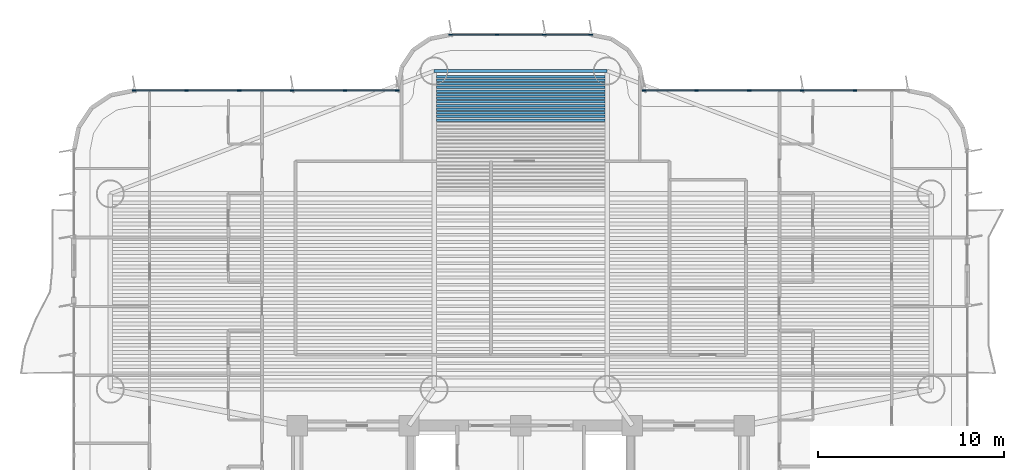
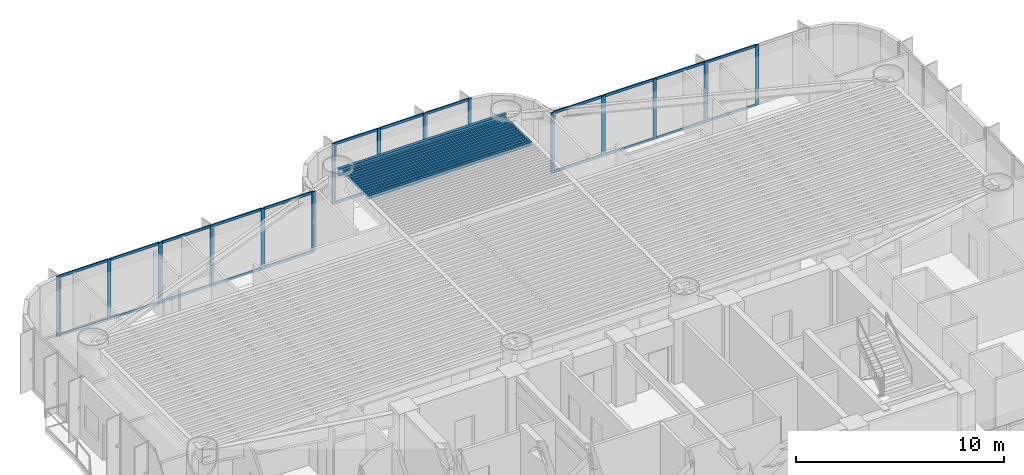
# One storey, part 7 of 19: 39 members, 14 beams, 3 elements without a shape of their own.
"""IFC4 building model written with IfcOpenShell, lengths in metres."""

from ifc_helpers import new_model, si_unit, direction, frame, origin, origin_2d, place, context, subcontext, project, spatial, rectangle, i_section, extrude, source, transform, mapped, material, layer, layer_set, material_profile, profile_set, type_object, element, aggregate, save


model = new_model("IFC4")

# Units and contexts
model_context = context("Model", 3, precision=1e-05, world=origin(), true_north=direction((0.0, 1.0)))
body_context = subcontext(model_context, "Body", "Model", "MODEL_VIEW")
ifc_project = project(units=[si_unit("LENGTHUNIT", "METRE"), si_unit("AREAUNIT", "SQUARE_METRE"), si_unit("VOLUMEUNIT", "CUBIC_METRE"), si_unit("PLANEANGLEUNIT", "RADIAN"), si_unit("MASSUNIT", "GRAM", prefix="KILO")], contexts=[model_context])

# Site, building, storey
site_placement = place(None, origin())
site = spatial("IfcSite", under=ifc_project, at=site_placement, CompositionType="ELEMENT")
building_placement = place(site_placement, origin())
building = spatial("IfcBuilding", under=site, at=building_placement, Name="Brelvock Crest Care Tower", CompositionType="ELEMENT")
storey_placement = place(building_placement, frame((0.0, 0.0, 30.780029296875)))
storey = spatial("IfcBuildingStorey", under=building, at=storey_placement, Name="L07", CompositionType="ELEMENT", Elevation=30.780029296875)

# Beams
ifc_material_1 = material(Name="Steel Grade 350", Category="steel")
ifc_material_profile_1 = material_profile(ifc_material_1, i_section(OverallWidth=0.177978515625, OverallDepth=0.406005859375, WebThickness=0.0078125, FlangeThickness=0.0126953125, FilletRadius=0.011474609375, at=origin_2d()), Name="410UB59.7")
ifc_profile_set_1 = profile_set([ifc_material_profile_1], Name="Steel Grade 350")
beam_type_1 = type_object("IfcBeamType", Name="BM-SP1", PredefinedType="SPANDREL", material=ifc_profile_set_1)
shared_shape_1 = source(origin(), body_context, "Body", "SweptSolid", [
    extrude(i_section(OverallWidth=0.177978515625, OverallDepth=0.406005859375, WebThickness=0.0078125, FlangeThickness=0.0126953125, FilletRadius=0.011474609375, at=origin_2d()), origin(), (0.0, 0.0, 1.0), 9.2998046875),
])
beam_placement = place(storey_placement, frame((31.35009765625, 37.050048828125, 3.326904296875), z_axis=(1.0, 0.0, 0.0), x_axis=(0.0, 1.0, 0.0)))
element("IfcBeam", 1, at=beam_placement, inside=storey, type_object=beam_type_1, Name="BM-TWR-L07-08", PredefinedType="SPANDREL", context=body_context, shape_type="MappedRepresentation", body=[
    mapped(shared_shape_1, transform((0.0, 0.0, 0.0), x_axis=(1.0, 0.0, 0.0), y_axis=(0.0, 1.0, 0.0), z_axis=(0.0, 0.0, 1.0), scale=1.0)),
])
ifc_material_profile_2 = material_profile(ifc_material_1, i_section(OverallWidth=0.134033203125, OverallDepth=0.20703125, WebThickness=0.00634765625, FlangeThickness=0.009521484375, FilletRadius=0.0087890625, at=origin_2d()), Name="200UB29.8")
ifc_profile_set_2 = profile_set([ifc_material_profile_2], Name="Steel Grade 350")
beam_type_2 = type_object("IfcBeamType", Name="BM-J4", PredefinedType="JOIST", material=ifc_profile_set_2)
shared_shape_2 = source(origin(), body_context, "Body", "SweptSolid", [
    extrude(i_section(OverallWidth=0.134033203125, OverallDepth=0.20703125, WebThickness=0.00634765625, FlangeThickness=0.009521484375, FilletRadius=0.0087890625, at=origin_2d()), origin(), (0.0, 0.0, 1.0), 9.06982421875),
])
for number, where, z_axis, x_axis, name in (
    (2, (31.465087890625, 34.413330078125, 3.426513671875), (1.0, 0.0, 0.0), (0.0, 1.0, 0.0), "BM-JN-L07-20"),
    (3, (31.465087890625, 34.60791015625, 3.426513671875), (1.0, 0.0, 0.0), (0.0, 1.0, 0.0), "BM-JN-L07-21"),
    (4, (31.465087890625, 34.802734375, 3.426513671875), (1.0, 0.0, 0.0), (0.0, 1.0, 0.0), "BM-JN-L07-22"),
    (5, (31.465087890625, 34.997314453125, 3.426513671875), (1.0, 0.0, 0.0), (0.0, 1.0, 0.0), "BM-JN-L07-23"),
    (6, (31.465087890625, 35.192138671875, 3.426513671875), (1.0, 0.0, 0.0), (0.0, 1.0, 0.0), "BM-JN-L07-24"),
    (7, (31.465087890625, 35.38671875, 3.426513671875), (1.0, 0.0, 0.0), (0.0, 1.0, 0.0), "BM-JN-L07-25"),
    (8, (31.465087890625, 35.58154296875, 3.426513671875), (1.0, 0.0, 0.0), (0.0, 1.0, 0.0), "BM-JN-L07-26"),
    (9, (31.465087890625, 35.776123046875, 3.426513671875), (1.0, 0.0, 0.0), (0.0, 1.0, 0.0), "BM-JN-L07-27"),
    (10, (31.465087890625, 35.970947265625, 3.426513671875), (1.0, 0.0, 0.0), (0.0, 1.0, 0.0), "BM-JN-L07-28"),
    (11, (31.465087890625, 36.16552734375, 3.426513671875), (1.0, 0.0, 0.0), (0.0, 1.0, 0.0), "BM-JN-L07-29"),
    (12, (31.465087890625, 36.3603515625, 3.426513671875), (1.0, 0.0, 0.0), (0.0, 1.0, 0.0), "BM-JN-L07-30"),
    (13, (31.465087890625, 36.554931640625, 3.426513671875), (1.0, 0.0, 0.0), (0.0, 1.0, 0.0), "BM-JN-L07-31"),
    (14, (31.465087890625, 36.749755859375, 3.426513671875), (1.0, 0.0, 0.0), (0.0, 1.0, 0.0), "BM-JN-L07-32"),
):
    element("IfcBeam", number, at=place(storey_placement, frame(where, z_axis=z_axis, x_axis=x_axis)), inside=storey, type_object=beam_type_2, Name=name, PredefinedType="JOIST", context=body_context, shape_type="MappedRepresentation", body=[
        mapped(shared_shape_2, transform((0.0, 0.0, 0.0), x_axis=(1.0, 0.0, 0.0), y_axis=(0.0, 1.0, 0.0), z_axis=(0.0, 0.0, 1.0), scale=1.0)),
    ])

# Curtain wall, members
ifc_material_2 = material(Name="Dark Glass Double Glazed Low-E", Category="glass")
ifc_layer = layer(ifc_material_2, 0.195068359375, Name="CWS-2")
ifc_layer_set = layer_set([ifc_layer], Name="Dark Glass Double Glazed Low-E")
curtain_wall_type = type_object("IfcCurtainWallType", Name="CWS-2", PredefinedType="NOTDEFINED", material=ifc_layer_set)
curtain_wall_1_placement = place(storey_placement, origin())
curtain_wall_1 = element("IfcCurtainWall", 15, at=curtain_wall_1_placement, inside=storey, type_object=curtain_wall_type, Name="L07 Curtain Wall E18", PredefinedType="NOTDEFINED")
ifc_material_3 = material(Name="Aluminium 6063-T6", Category="aluminium")
ifc_material_profile_3 = material_profile(ifc_material_3, rectangle(XDim=0.06494140625, YDim=0.199951171875, at=origin_2d()), Name="ALU65x200")
ifc_profile_set_3 = profile_set([ifc_material_profile_3], Name="Aluminium 6063-T6")
member_type_1 = type_object("IfcMemberType", Name="CWM-1", PredefinedType="MULLION", material=ifc_profile_set_3)
shared_shape_3 = source(origin(), body_context, "Body", "SweptSolid", [
    extrude(rectangle(XDim=0.06494140625, YDim=0.199951171875, at=origin_2d()), origin(), (0.0, 0.0, 1.0), 3.530029296875),
])
member_1_placement = place(storey_placement, frame((15.232421875, 36.0, 0.0), z_axis=(0.0, 0.0, 1.0), x_axis=(0.0, 1.0, 0.0)))
member_1 = element("IfcMember", 16, at=member_1_placement, type_object=member_type_1, Name="CW-2 mullion 1", PredefinedType="MULLION", context=body_context, shape_type="MappedRepresentation", body=[
    mapped(shared_shape_3, transform((0.0, 0.0, 0.0), x_axis=(1.0, 0.0, 0.0), y_axis=(0.0, 1.0, 0.0), z_axis=(0.0, 0.0, 1.0), scale=1.0)),
])
member_2_placement = place(storey_placement, frame((18.0400390625, 36.0, 0.0), z_axis=(0.0, 0.0, 1.0), x_axis=(0.0, 1.0, 0.0)))
member_2 = element("IfcMember", 17, at=member_2_placement, type_object=member_type_1, Name="CW-2 mullion 2", PredefinedType="MULLION", context=body_context, shape_type="MappedRepresentation", body=[
    mapped(shared_shape_3, transform((0.0, 0.0, 0.0), x_axis=(1.0, 0.0, 0.0), y_axis=(0.0, 1.0, 0.0), z_axis=(0.0, 0.0, 1.0), scale=1.0)),
])
member_3_placement = place(storey_placement, frame((20.8798828125, 36.0, 0.0), z_axis=(0.0, 0.0, 1.0), x_axis=(0.0, 1.0, 0.0)))
member_3 = element("IfcMember", 18, at=member_3_placement, type_object=member_type_1, Name="CW-2 mullion 3", PredefinedType="MULLION", context=body_context, shape_type="MappedRepresentation", body=[
    mapped(shared_shape_3, transform((0.0, 0.0, 0.0), x_axis=(1.0, 0.0, 0.0), y_axis=(0.0, 1.0, 0.0), z_axis=(0.0, 0.0, 1.0), scale=1.0)),
])
member_4_placement = place(storey_placement, frame((23.719970703125, 36.0, 0.0), z_axis=(0.0, 0.0, 1.0), x_axis=(0.0, 1.0, 0.0)))
member_4 = element("IfcMember", 19, at=member_4_placement, type_object=member_type_1, Name="CW-2 mullion 4", PredefinedType="MULLION", context=body_context, shape_type="MappedRepresentation", body=[
    mapped(shared_shape_3, transform((0.0, 0.0, 0.0), x_axis=(1.0, 0.0, 0.0), y_axis=(0.0, 1.0, 0.0), z_axis=(0.0, 0.0, 1.0), scale=1.0)),
])
member_5_placement = place(storey_placement, frame((26.56005859375, 36.0, 0.0), z_axis=(0.0, 0.0, 1.0), x_axis=(0.0, 1.0, 0.0)))
member_5 = element("IfcMember", 20, at=member_5_placement, type_object=member_type_1, Name="CW-2 mullion 5", PredefinedType="MULLION", context=body_context, shape_type="MappedRepresentation", body=[
    mapped(shared_shape_3, transform((0.0, 0.0, 0.0), x_axis=(1.0, 0.0, 0.0), y_axis=(0.0, 1.0, 0.0), z_axis=(0.0, 0.0, 1.0), scale=1.0)),
])
member_6_placement = place(storey_placement, frame((29.367431640625, 36.0, 0.0), z_axis=(0.0, 0.0, 1.0), x_axis=(0.0, 1.0, 0.0)))
member_6 = element("IfcMember", 21, at=member_6_placement, type_object=member_type_1, Name="CW-2 mullion 6", PredefinedType="MULLION", context=body_context, shape_type="MappedRepresentation", body=[
    mapped(shared_shape_3, transform((0.0, 0.0, 0.0), x_axis=(1.0, 0.0, 0.0), y_axis=(0.0, 1.0, 0.0), z_axis=(0.0, 0.0, 1.0), scale=1.0)),
])

curtain_wall_2_placement = place(storey_placement, origin())
curtain_wall_2 = element("IfcCurtainWall", 22, at=curtain_wall_2_placement, inside=storey, type_object=curtain_wall_type, Name="L07 Curtain Wall E24", PredefinedType="NOTDEFINED")
member_7_placement = place(storey_placement, frame((32.232421875, 39.0, 0.0), z_axis=(0.0, 0.0, 1.0), x_axis=(0.0, 1.0, 0.0)))
member_7 = element("IfcMember", 23, at=member_7_placement, type_object=member_type_1, Name="CW-2 mullion 1", PredefinedType="MULLION", context=body_context, shape_type="MappedRepresentation", body=[
    mapped(shared_shape_3, transform((0.0, 0.0, 0.0), x_axis=(1.0, 0.0, 0.0), y_axis=(0.0, 1.0, 0.0), z_axis=(0.0, 0.0, 1.0), scale=1.0)),
])
member_8_placement = place(storey_placement, frame((34.7333984375, 39.0, 0.0), z_axis=(0.0, 0.0, 1.0), x_axis=(0.0, 1.0, 0.0)))
member_8 = element("IfcMember", 24, at=member_8_placement, type_object=member_type_1, Name="CW-2 mullion 2", PredefinedType="MULLION", context=body_context, shape_type="MappedRepresentation", body=[
    mapped(shared_shape_3, transform((0.0, 0.0, 0.0), x_axis=(1.0, 0.0, 0.0), y_axis=(0.0, 1.0, 0.0), z_axis=(0.0, 0.0, 1.0), scale=1.0)),
])
member_9_placement = place(storey_placement, frame((37.2666015625, 39.0, 0.0), z_axis=(0.0, 0.0, 1.0), x_axis=(0.0, 1.0, 0.0)))
member_9 = element("IfcMember", 25, at=member_9_placement, type_object=member_type_1, Name="CW-2 mullion 3", PredefinedType="MULLION", context=body_context, shape_type="MappedRepresentation", body=[
    mapped(shared_shape_3, transform((0.0, 0.0, 0.0), x_axis=(1.0, 0.0, 0.0), y_axis=(0.0, 1.0, 0.0), z_axis=(0.0, 0.0, 1.0), scale=1.0)),
])
member_10_placement = place(storey_placement, frame((39.767578125, 39.0, 0.0), z_axis=(0.0, 0.0, 1.0), x_axis=(0.0, 1.0, 0.0)))
member_10 = element("IfcMember", 26, at=member_10_placement, type_object=member_type_1, Name="CW-2 mullion 4", PredefinedType="MULLION", context=body_context, shape_type="MappedRepresentation", body=[
    mapped(shared_shape_3, transform((0.0, 0.0, 0.0), x_axis=(1.0, 0.0, 0.0), y_axis=(0.0, 1.0, 0.0), z_axis=(0.0, 0.0, 1.0), scale=1.0)),
])

curtain_wall_3_placement = place(storey_placement, origin())
curtain_wall_3 = element("IfcCurtainWall", 27, at=curtain_wall_3_placement, inside=storey, type_object=curtain_wall_type, Name="L07 Curtain Wall E30", PredefinedType="NOTDEFINED")
member_11_placement = place(storey_placement, frame((42.632568359375, 36.0, 0.0), z_axis=(0.0, 0.0, 1.0), x_axis=(0.0, 1.0, 0.0)))
member_11 = element("IfcMember", 28, at=member_11_placement, type_object=member_type_1, Name="CW-2 mullion 1", PredefinedType="MULLION", context=body_context, shape_type="MappedRepresentation", body=[
    mapped(shared_shape_3, transform((0.0, 0.0, 0.0), x_axis=(1.0, 0.0, 0.0), y_axis=(0.0, 1.0, 0.0), z_axis=(0.0, 0.0, 1.0), scale=1.0)),
])
member_12_placement = place(storey_placement, frame((45.43994140625, 36.0, 0.0), z_axis=(0.0, 0.0, 1.0), x_axis=(0.0, 1.0, 0.0)))
member_12 = element("IfcMember", 29, at=member_12_placement, type_object=member_type_1, Name="CW-2 mullion 2", PredefinedType="MULLION", context=body_context, shape_type="MappedRepresentation", body=[
    mapped(shared_shape_3, transform((0.0, 0.0, 0.0), x_axis=(1.0, 0.0, 0.0), y_axis=(0.0, 1.0, 0.0), z_axis=(0.0, 0.0, 1.0), scale=1.0)),
])
member_13_placement = place(storey_placement, frame((48.280029296875, 36.0, 0.0), z_axis=(0.0, 0.0, 1.0), x_axis=(0.0, 1.0, 0.0)))
member_13 = element("IfcMember", 30, at=member_13_placement, type_object=member_type_1, Name="CW-2 mullion 3", PredefinedType="MULLION", context=body_context, shape_type="MappedRepresentation", body=[
    mapped(shared_shape_3, transform((0.0, 0.0, 0.0), x_axis=(1.0, 0.0, 0.0), y_axis=(0.0, 1.0, 0.0), z_axis=(0.0, 0.0, 1.0), scale=1.0)),
])
member_14_placement = place(storey_placement, frame((51.1201171875, 36.0, 0.0), z_axis=(0.0, 0.0, 1.0), x_axis=(0.0, 1.0, 0.0)))
member_14 = element("IfcMember", 31, at=member_14_placement, type_object=member_type_1, Name="CW-2 mullion 4", PredefinedType="MULLION", context=body_context, shape_type="MappedRepresentation", body=[
    mapped(shared_shape_3, transform((0.0, 0.0, 0.0), x_axis=(1.0, 0.0, 0.0), y_axis=(0.0, 1.0, 0.0), z_axis=(0.0, 0.0, 1.0), scale=1.0)),
])
member_15_placement = place(storey_placement, frame((53.9599609375, 36.0, 0.0), z_axis=(0.0, 0.0, 1.0), x_axis=(0.0, 1.0, 0.0)))
member_15 = element("IfcMember", 32, at=member_15_placement, type_object=member_type_1, Name="CW-2 mullion 5", PredefinedType="MULLION", context=body_context, shape_type="MappedRepresentation", body=[
    mapped(shared_shape_3, transform((0.0, 0.0, 0.0), x_axis=(1.0, 0.0, 0.0), y_axis=(0.0, 1.0, 0.0), z_axis=(0.0, 0.0, 1.0), scale=1.0)),
])

# Member
ifc_material_profile_4 = material_profile(ifc_material_3, rectangle(XDim=0.06494140625, YDim=0.14990234375, at=origin_2d()), Name="ALU65x150")
ifc_profile_set_4 = profile_set([ifc_material_profile_4], Name="Aluminium 6063-T6")
member_type_2 = type_object("IfcMemberType", Name="CWT-1", PredefinedType="USERDEFINED", material=ifc_profile_set_4)
shared_shape_4 = source(origin(), body_context, "Body", "SweptSolid", [
    extrude(rectangle(XDim=0.06494140625, YDim=0.14990234375, at=origin_2d()), origin(), (0.0, 0.0, 1.0), 2.74267578125),
])
member_16_placement = place(storey_placement, frame((15.264892578125, 36.0, 0.032470703125), z_axis=(1.0, 0.0, 0.0), x_axis=(0.0, 1.0, 0.0)))
member_16 = element("IfcMember", 33, at=member_16_placement, type_object=member_type_2, Name="CW-2 transom 1.1", ObjectType="TRANSOM", PredefinedType="USERDEFINED", context=body_context, shape_type="MappedRepresentation", body=[
    mapped(shared_shape_4, transform((0.0, 0.0, 0.0), x_axis=(1.0, 0.0, 0.0), y_axis=(0.0, 1.0, 0.0), z_axis=(0.0, 0.0, 1.0), scale=1.0)),
])

member_17_placement = place(storey_placement, frame((15.264892578125, 36.0, 3.49755859375), z_axis=(1.0, 0.0, 0.0), x_axis=(0.0, 1.0, 0.0)))
member_17 = element("IfcMember", 34, at=member_17_placement, type_object=member_type_2, Name="CW-2 transom 1.2", ObjectType="TRANSOM", PredefinedType="USERDEFINED", context=body_context, shape_type="MappedRepresentation", body=[
    mapped(shared_shape_4, transform((0.0, 0.0, 0.0), x_axis=(1.0, 0.0, 0.0), y_axis=(0.0, 1.0, 0.0), z_axis=(0.0, 0.0, 1.0), scale=1.0)),
])

shared_shape_5 = source(origin(), body_context, "Body", "SweptSolid", [
    extrude(rectangle(XDim=0.06494140625, YDim=0.14990234375, at=origin_2d()), origin(), (0.0, 0.0, 1.0), 2.77490234375),
])
member_18_placement = place(storey_placement, frame((18.072509765625, 36.0, 0.032470703125), z_axis=(1.0, 0.0, 0.0), x_axis=(0.0, 1.0, 0.0)))
member_18 = element("IfcMember", 35, at=member_18_placement, type_object=member_type_2, Name="CW-2 transom 2.1", ObjectType="TRANSOM", PredefinedType="USERDEFINED", context=body_context, shape_type="MappedRepresentation", body=[
    mapped(shared_shape_5, transform((0.0, 0.0, 0.0), x_axis=(1.0, 0.0, 0.0), y_axis=(0.0, 1.0, 0.0), z_axis=(0.0, 0.0, 1.0), scale=1.0)),
])

member_19_placement = place(storey_placement, frame((18.072509765625, 36.0, 3.49755859375), z_axis=(1.0, 0.0, 0.0), x_axis=(0.0, 1.0, 0.0)))
member_19 = element("IfcMember", 36, at=member_19_placement, type_object=member_type_2, Name="CW-2 transom 2.2", ObjectType="TRANSOM", PredefinedType="USERDEFINED", context=body_context, shape_type="MappedRepresentation", body=[
    mapped(shared_shape_5, transform((0.0, 0.0, 0.0), x_axis=(1.0, 0.0, 0.0), y_axis=(0.0, 1.0, 0.0), z_axis=(0.0, 0.0, 1.0), scale=1.0)),
])

member_20_placement = place(storey_placement, frame((20.91259765625, 36.0, 0.032470703125), z_axis=(1.0, 0.0, 0.0), x_axis=(0.0, 1.0, 0.0)))
member_20 = element("IfcMember", 37, at=member_20_placement, type_object=member_type_2, Name="CW-2 transom 3.1", ObjectType="TRANSOM", PredefinedType="USERDEFINED", context=body_context, shape_type="MappedRepresentation", body=[
    mapped(shared_shape_5, transform((0.0, 0.0, 0.0), x_axis=(1.0, 0.0, 0.0), y_axis=(0.0, 1.0, 0.0), z_axis=(0.0, 0.0, 1.0), scale=1.0)),
])

member_21_placement = place(storey_placement, frame((20.91259765625, 36.0, 3.49755859375), z_axis=(1.0, 0.0, 0.0), x_axis=(0.0, 1.0, 0.0)))
member_21 = element("IfcMember", 38, at=member_21_placement, type_object=member_type_2, Name="CW-2 transom 3.2", ObjectType="TRANSOM", PredefinedType="USERDEFINED", context=body_context, shape_type="MappedRepresentation", body=[
    mapped(shared_shape_5, transform((0.0, 0.0, 0.0), x_axis=(1.0, 0.0, 0.0), y_axis=(0.0, 1.0, 0.0), z_axis=(0.0, 0.0, 1.0), scale=1.0)),
])

member_22_placement = place(storey_placement, frame((48.3125, 36.0, 0.032470703125), z_axis=(1.0, 0.0, 0.0), x_axis=(0.0, 1.0, 0.0)))
member_22 = element("IfcMember", 39, at=member_22_placement, type_object=member_type_2, Name="CW-2 transom 3.1", ObjectType="TRANSOM", PredefinedType="USERDEFINED", context=body_context, shape_type="MappedRepresentation", body=[
    mapped(shared_shape_5, transform((0.0, 0.0, 0.0), x_axis=(1.0, 0.0, 0.0), y_axis=(0.0, 1.0, 0.0), z_axis=(0.0, 0.0, 1.0), scale=1.0)),
])

member_23_placement = place(storey_placement, frame((48.3125, 36.0, 3.49755859375), z_axis=(1.0, 0.0, 0.0), x_axis=(0.0, 1.0, 0.0)))
member_23 = element("IfcMember", 40, at=member_23_placement, type_object=member_type_2, Name="CW-2 transom 3.2", ObjectType="TRANSOM", PredefinedType="USERDEFINED", context=body_context, shape_type="MappedRepresentation", body=[
    mapped(shared_shape_5, transform((0.0, 0.0, 0.0), x_axis=(1.0, 0.0, 0.0), y_axis=(0.0, 1.0, 0.0), z_axis=(0.0, 0.0, 1.0), scale=1.0)),
])

member_24_placement = place(storey_placement, frame((51.152587890625, 36.0, 0.032470703125), z_axis=(1.0, 0.0, 0.0), x_axis=(0.0, 1.0, 0.0)))
member_24 = element("IfcMember", 41, at=member_24_placement, type_object=member_type_2, Name="CW-2 transom 4.1", ObjectType="TRANSOM", PredefinedType="USERDEFINED", context=body_context, shape_type="MappedRepresentation", body=[
    mapped(shared_shape_5, transform((0.0, 0.0, 0.0), x_axis=(1.0, 0.0, 0.0), y_axis=(0.0, 1.0, 0.0), z_axis=(0.0, 0.0, 1.0), scale=1.0)),
])

member_25_placement = place(storey_placement, frame((51.152587890625, 36.0, 3.49755859375), z_axis=(1.0, 0.0, 0.0), x_axis=(0.0, 1.0, 0.0)))
member_25 = element("IfcMember", 42, at=member_25_placement, type_object=member_type_2, Name="CW-2 transom 4.2", ObjectType="TRANSOM", PredefinedType="USERDEFINED", context=body_context, shape_type="MappedRepresentation", body=[
    mapped(shared_shape_5, transform((0.0, 0.0, 0.0), x_axis=(1.0, 0.0, 0.0), y_axis=(0.0, 1.0, 0.0), z_axis=(0.0, 0.0, 1.0), scale=1.0)),
])

shared_shape_6 = source(origin(), body_context, "Body", "SweptSolid", [
    extrude(rectangle(XDim=0.06494140625, YDim=0.14990234375, at=origin_2d()), origin(), (0.0, 0.0, 1.0), 2.775146484375),
])
member_26_placement = place(storey_placement, frame((23.75244140625, 36.0, 0.032470703125), z_axis=(1.0, 0.0, 0.0), x_axis=(0.0, 1.0, 0.0)))
member_26 = element("IfcMember", 43, at=member_26_placement, type_object=member_type_2, Name="CW-2 transom 4.1", ObjectType="TRANSOM", PredefinedType="USERDEFINED", context=body_context, shape_type="MappedRepresentation", body=[
    mapped(shared_shape_6, transform((0.0, 0.0, 0.0), x_axis=(1.0, 0.0, 0.0), y_axis=(0.0, 1.0, 0.0), z_axis=(0.0, 0.0, 1.0), scale=1.0)),
])

member_27_placement = place(storey_placement, frame((23.75244140625, 36.0, 3.49755859375), z_axis=(1.0, 0.0, 0.0), x_axis=(0.0, 1.0, 0.0)))
member_27 = element("IfcMember", 44, at=member_27_placement, type_object=member_type_2, Name="CW-2 transom 4.2", ObjectType="TRANSOM", PredefinedType="USERDEFINED", context=body_context, shape_type="MappedRepresentation", body=[
    mapped(shared_shape_6, transform((0.0, 0.0, 0.0), x_axis=(1.0, 0.0, 0.0), y_axis=(0.0, 1.0, 0.0), z_axis=(0.0, 0.0, 1.0), scale=1.0)),
])

member_28_placement = place(storey_placement, frame((45.472412109375, 36.0, 0.032470703125), z_axis=(1.0, 0.0, 0.0), x_axis=(0.0, 1.0, 0.0)))
member_28 = element("IfcMember", 45, at=member_28_placement, type_object=member_type_2, Name="CW-2 transom 2.1", ObjectType="TRANSOM", PredefinedType="USERDEFINED", context=body_context, shape_type="MappedRepresentation", body=[
    mapped(shared_shape_6, transform((0.0, 0.0, 0.0), x_axis=(1.0, 0.0, 0.0), y_axis=(0.0, 1.0, 0.0), z_axis=(0.0, 0.0, 1.0), scale=1.0)),
])

member_29_placement = place(storey_placement, frame((45.472412109375, 36.0, 3.49755859375), z_axis=(1.0, 0.0, 0.0), x_axis=(0.0, 1.0, 0.0)))
member_29 = element("IfcMember", 46, at=member_29_placement, type_object=member_type_2, Name="CW-2 transom 2.2", ObjectType="TRANSOM", PredefinedType="USERDEFINED", context=body_context, shape_type="MappedRepresentation", body=[
    mapped(shared_shape_6, transform((0.0, 0.0, 0.0), x_axis=(1.0, 0.0, 0.0), y_axis=(0.0, 1.0, 0.0), z_axis=(0.0, 0.0, 1.0), scale=1.0)),
])

shared_shape_7 = source(origin(), body_context, "Body", "SweptSolid", [
    extrude(rectangle(XDim=0.06494140625, YDim=0.14990234375, at=origin_2d()), origin(), (0.0, 0.0, 1.0), 2.742431640625),
])
member_30_placement = place(storey_placement, frame((26.592529296875, 36.0, 0.032470703125), z_axis=(1.0, 0.0, 0.0), x_axis=(0.0, 1.0, 0.0)))
member_30 = element("IfcMember", 47, at=member_30_placement, type_object=member_type_2, Name="CW-2 transom 5.1", ObjectType="TRANSOM", PredefinedType="USERDEFINED", context=body_context, shape_type="MappedRepresentation", body=[
    mapped(shared_shape_7, transform((0.0, 0.0, 0.0), x_axis=(1.0, 0.0, 0.0), y_axis=(0.0, 1.0, 0.0), z_axis=(0.0, 0.0, 1.0), scale=1.0)),
])

member_31_placement = place(storey_placement, frame((26.592529296875, 36.0, 3.49755859375), z_axis=(1.0, 0.0, 0.0), x_axis=(0.0, 1.0, 0.0)))
member_31 = element("IfcMember", 48, at=member_31_placement, type_object=member_type_2, Name="CW-2 transom 5.2", ObjectType="TRANSOM", PredefinedType="USERDEFINED", context=body_context, shape_type="MappedRepresentation", body=[
    mapped(shared_shape_7, transform((0.0, 0.0, 0.0), x_axis=(1.0, 0.0, 0.0), y_axis=(0.0, 1.0, 0.0), z_axis=(0.0, 0.0, 1.0), scale=1.0)),
])

aggregate(curtain_wall_1, [member_1, member_2, member_3, member_4, member_5, member_6, member_16, member_17, member_18, member_19, member_20, member_21, member_26, member_27, member_30, member_31])

member_32_placement = place(storey_placement, frame((42.6650390625, 36.0, 0.032470703125), z_axis=(1.0, 0.0, 0.0), x_axis=(0.0, 1.0, 0.0)))
member_32 = element("IfcMember", 49, at=member_32_placement, type_object=member_type_2, Name="CW-2 transom 1.1", ObjectType="TRANSOM", PredefinedType="USERDEFINED", context=body_context, shape_type="MappedRepresentation", body=[
    mapped(shared_shape_7, transform((0.0, 0.0, 0.0), x_axis=(1.0, 0.0, 0.0), y_axis=(0.0, 1.0, 0.0), z_axis=(0.0, 0.0, 1.0), scale=1.0)),
])

member_33_placement = place(storey_placement, frame((42.6650390625, 36.0, 3.49755859375), z_axis=(1.0, 0.0, 0.0), x_axis=(0.0, 1.0, 0.0)))
member_33 = element("IfcMember", 50, at=member_33_placement, type_object=member_type_2, Name="CW-2 transom 1.2", ObjectType="TRANSOM", PredefinedType="USERDEFINED", context=body_context, shape_type="MappedRepresentation", body=[
    mapped(shared_shape_7, transform((0.0, 0.0, 0.0), x_axis=(1.0, 0.0, 0.0), y_axis=(0.0, 1.0, 0.0), z_axis=(0.0, 0.0, 1.0), scale=1.0)),
])

aggregate(curtain_wall_3, [member_11, member_12, member_13, member_14, member_15, member_32, member_33, member_28, member_29, member_22, member_23, member_24, member_25])

shared_shape_8 = source(origin(), body_context, "Body", "SweptSolid", [
    extrude(rectangle(XDim=0.06494140625, YDim=0.14990234375, at=origin_2d()), origin(), (0.0, 0.0, 1.0), 2.43603515625),
])
member_34_placement = place(storey_placement, frame((32.264892578125, 39.0, 0.032470703125), z_axis=(1.0, 0.0, 0.0), x_axis=(0.0, 1.0, 0.0)))
member_34 = element("IfcMember", 51, at=member_34_placement, type_object=member_type_2, Name="CW-2 transom 1.1", ObjectType="TRANSOM", PredefinedType="USERDEFINED", context=body_context, shape_type="MappedRepresentation", body=[
    mapped(shared_shape_8, transform((0.0, 0.0, 0.0), x_axis=(1.0, 0.0, 0.0), y_axis=(0.0, 1.0, 0.0), z_axis=(0.0, 0.0, 1.0), scale=1.0)),
])

member_35_placement = place(storey_placement, frame((32.264892578125, 39.0, 3.49755859375), z_axis=(1.0, 0.0, 0.0), x_axis=(0.0, 1.0, 0.0)))
member_35 = element("IfcMember", 52, at=member_35_placement, type_object=member_type_2, Name="CW-2 transom 1.2", ObjectType="TRANSOM", PredefinedType="USERDEFINED", context=body_context, shape_type="MappedRepresentation", body=[
    mapped(shared_shape_8, transform((0.0, 0.0, 0.0), x_axis=(1.0, 0.0, 0.0), y_axis=(0.0, 1.0, 0.0), z_axis=(0.0, 0.0, 1.0), scale=1.0)),
])

member_36_placement = place(storey_placement, frame((37.299072265625, 39.0, 0.032470703125), z_axis=(1.0, 0.0, 0.0), x_axis=(0.0, 1.0, 0.0)))
member_36 = element("IfcMember", 53, at=member_36_placement, type_object=member_type_2, Name="CW-2 transom 3.1", ObjectType="TRANSOM", PredefinedType="USERDEFINED", context=body_context, shape_type="MappedRepresentation", body=[
    mapped(shared_shape_8, transform((0.0, 0.0, 0.0), x_axis=(1.0, 0.0, 0.0), y_axis=(0.0, 1.0, 0.0), z_axis=(0.0, 0.0, 1.0), scale=1.0)),
])

member_37_placement = place(storey_placement, frame((37.299072265625, 39.0, 3.49755859375), z_axis=(1.0, 0.0, 0.0), x_axis=(0.0, 1.0, 0.0)))
member_37 = element("IfcMember", 54, at=member_37_placement, type_object=member_type_2, Name="CW-2 transom 3.2", ObjectType="TRANSOM", PredefinedType="USERDEFINED", context=body_context, shape_type="MappedRepresentation", body=[
    mapped(shared_shape_8, transform((0.0, 0.0, 0.0), x_axis=(1.0, 0.0, 0.0), y_axis=(0.0, 1.0, 0.0), z_axis=(0.0, 0.0, 1.0), scale=1.0)),
])

shared_shape_9 = source(origin(), body_context, "Body", "SweptSolid", [
    extrude(rectangle(XDim=0.06494140625, YDim=0.14990234375, at=origin_2d()), origin(), (0.0, 0.0, 1.0), 2.46826171875),
])
member_38_placement = place(storey_placement, frame((34.765869140625, 39.0, 0.032470703125), z_axis=(1.0, 0.0, 0.0), x_axis=(0.0, 1.0, 0.0)))
member_38 = element("IfcMember", 55, at=member_38_placement, type_object=member_type_2, Name="CW-2 transom 2.1", ObjectType="TRANSOM", PredefinedType="USERDEFINED", context=body_context, shape_type="MappedRepresentation", body=[
    mapped(shared_shape_9, transform((0.0, 0.0, 0.0), x_axis=(1.0, 0.0, 0.0), y_axis=(0.0, 1.0, 0.0), z_axis=(0.0, 0.0, 1.0), scale=1.0)),
])

member_39_placement = place(storey_placement, frame((34.765869140625, 39.0, 3.49755859375), z_axis=(1.0, 0.0, 0.0), x_axis=(0.0, 1.0, 0.0)))
member_39 = element("IfcMember", 56, at=member_39_placement, type_object=member_type_2, Name="CW-2 transom 2.2", ObjectType="TRANSOM", PredefinedType="USERDEFINED", context=body_context, shape_type="MappedRepresentation", body=[
    mapped(shared_shape_9, transform((0.0, 0.0, 0.0), x_axis=(1.0, 0.0, 0.0), y_axis=(0.0, 1.0, 0.0), z_axis=(0.0, 0.0, 1.0), scale=1.0)),
])

aggregate(curtain_wall_2, [member_7, member_8, member_9, member_10, member_34, member_35, member_38, member_39, member_36, member_37])

save(model, "model.ifc")
